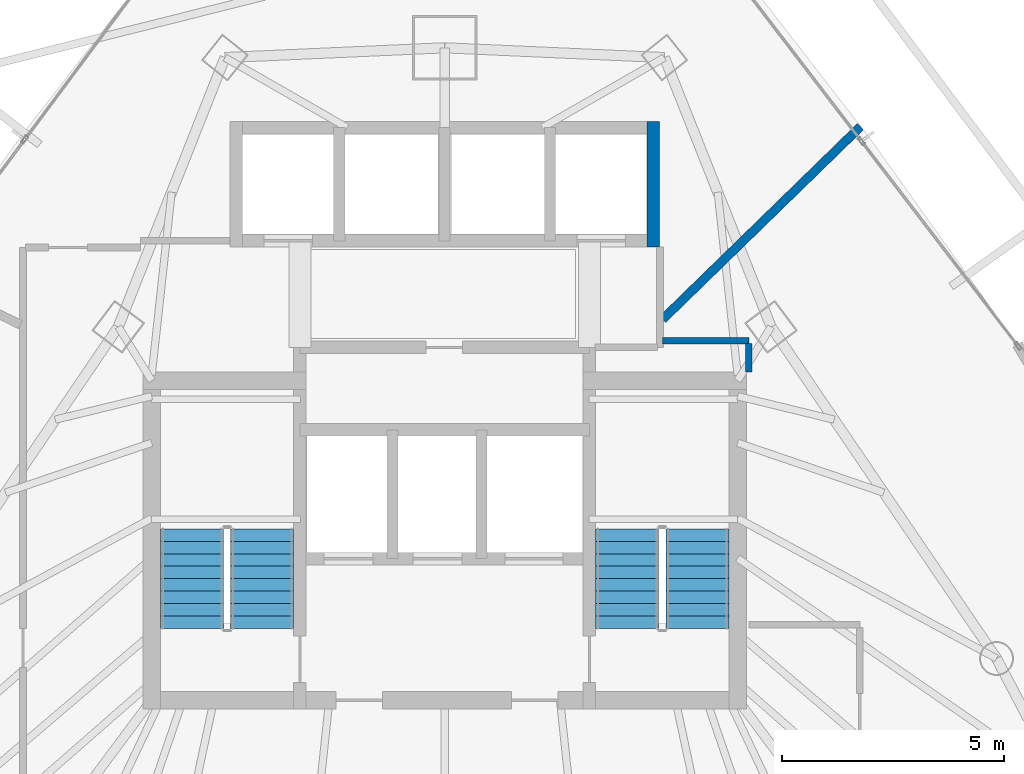
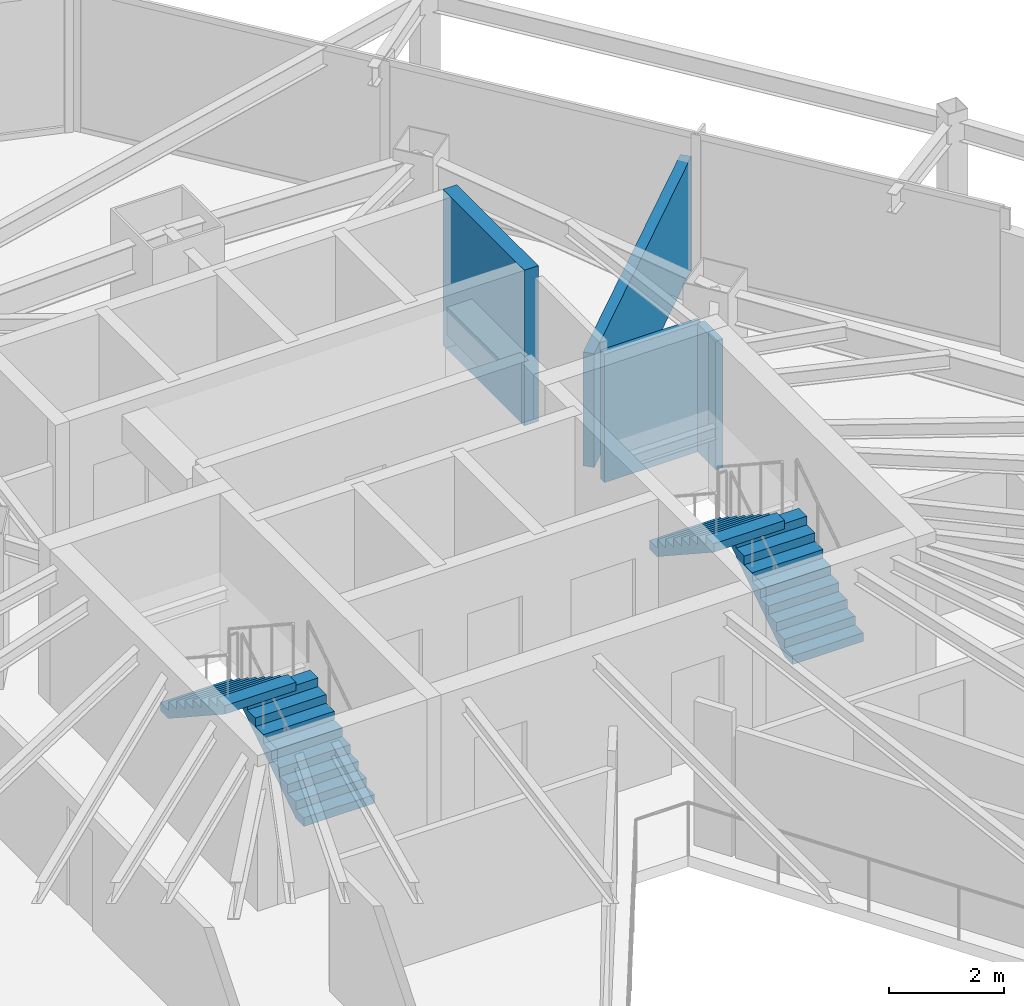
# One storey, part 28 of 31: 4 stair flights, 4 walls, 2 elements without a shape of their own.
"""IFC4 building model written with IfcOpenShell, lengths in metres."""

from ifc_helpers import new_model, si_unit, direction, frame, frame_2d, origin, place, context, subcontext, project, spatial, polyline, rectangle, outline, extrude, material, layer, layer_set, type_object, element, aggregate, save


model = new_model("IFC4")

# Units and contexts
model_context = context("Model", 3, precision=1e-05, world=origin(), true_north=direction((0.0, 1.0)))
body_context = subcontext(model_context, "Body", "Model", "MODEL_VIEW")
ifc_project = project(units=[si_unit("LENGTHUNIT", "METRE"), si_unit("AREAUNIT", "SQUARE_METRE"), si_unit("VOLUMEUNIT", "CUBIC_METRE"), si_unit("PLANEANGLEUNIT", "RADIAN"), si_unit("MASSUNIT", "GRAM", prefix="KILO")], contexts=[model_context])

# Site, building, storey
site_placement = place(None, origin())
site = spatial("IfcSite", under=ifc_project, at=site_placement, CompositionType="ELEMENT")
building_placement = place(site_placement, origin())
building = spatial("IfcBuilding", under=site, at=building_placement, Name="Orvanel Arch Residences", CompositionType="ELEMENT")
storey_placement = place(building_placement, frame((0.0, 0.0, 110.0)))
storey = spatial("IfcBuildingStorey", under=building, at=storey_placement, Name="L30", CompositionType="ELEMENT", Elevation=110.0)

# Walls
ifc_material_1 = material(Name="Concrete S65 (65 MPa)", Category="concrete")
ifc_layer_1 = layer(ifc_material_1, 0.280029296875)
ifc_layer_set_1 = layer_set([ifc_layer_1], Name="Concrete S65 (65 MPa)")
wall_type_1 = type_object("IfcWallType", Name="SW-CORE-280", PredefinedType="SHEAR", material=ifc_layer_set_1)
wall_1_placement = place(storey_placement, frame((37.699951171875, 36.909912109375, 0.0), z_axis=(0.0, 0.0, 1.0), x_axis=(0.0, 1.0, 0.0)))
element("IfcWall", 1, at=wall_1_placement, inside=storey, type_object=wall_type_1, Name="L30 Passenger Lift Bank East Shear Wall", PredefinedType="SHEAR", context=body_context, shape_type="SweptSolid", body=[
    extrude(rectangle(XDim=2.830078125, YDim=0.280029296875, at=frame_2d((1.4150390625, 0.0))), origin(), (0.0, 0.0, 1.0), 3.300048828125),
])
ifc_material_2 = material(Name="Fire-rated plasterboard lined steel stud partition", Category="steel")
ifc_layer_2 = layer(ifc_material_2, 0.14990234375)
ifc_layer_set_2 = layer_set([ifc_layer_2], Name="Fire-rated plasterboard lined steel stud partition")
wall_type_2 = type_object("IfcWallType", Name="W-COR-150", PredefinedType="PARTITIONING", material=ifc_layer_set_2)
wall_2_placement = place(storey_placement, frame((37.909912109375, 34.800048828125, 0.0), z_axis=(0.0, 0.0, 1.0), x_axis=(1.0, 0.0, 0.0)))
element("IfcWall", 2, at=wall_2_placement, inside=storey, type_object=wall_type_2, Name="L30 Core Perimeter Partition", PredefinedType="PARTITIONING", context=body_context, shape_type="SweptSolid", body=[
    extrude(rectangle(XDim=1.940185546875, YDim=0.14990234375, at=frame_2d((0.97021484375, 0.0))), origin(), (0.0, 0.0, 1.0), 2.720947265625),
])
wall_3_placement = place(storey_placement, frame((39.85009765625, 34.739990234375, 0.0), z_axis=(0.0, 0.0, 1.0), x_axis=(0.0, -1.0, 0.0)))
element("IfcWall", 3, at=wall_3_placement, inside=storey, type_object=wall_type_2, Name="L30 Core Perimeter Partition", PredefinedType="PARTITIONING", context=body_context, shape_type="SweptSolid", body=[
    extrude(rectangle(XDim=0.639892578125, YDim=0.14990234375, at=frame_2d((0.31982421875, 0.0))), origin(), (0.0, 0.0, 1.0), 2.720947265625),
])
ifc_layer_3 = layer(ifc_material_2, 0.199951171875)
ifc_layer_set_3 = layer_set([ifc_layer_3], Name="Fire-rated plasterboard lined steel stud partition")
wall_type_3 = type_object("IfcWallType", Name="W-DEM-200", PredefinedType="PARTITIONING", material=ifc_layer_set_3)
wall_4_placement = place(storey_placement, frame((37.909912109375, 35.281982421875, 0.0), z_axis=(0.0, 0.0, 1.0), x_axis=(0.716392659664, 0.697697324905, 0.0)))
element("IfcWall", 4, at=wall_4_placement, inside=storey, type_object=wall_type_3, Name="L30 Inter-Tenancy Acoustic Demising Wall", PredefinedType="PARTITIONING", context=body_context, shape_type="SweptSolid", body=[
    extrude(rectangle(XDim=6.216064453125, YDim=0.199951171875, at=frame_2d((3.10791015625, 0.0))), origin(), (0.0, 0.0, 1.0), 2.4130859375),
])

# Stair, stair flights
ifc_material_3 = material(Name="Precast concrete N50 (50 MPa)", Category="concrete")
stair_type = type_object("IfcStairType", Name="STR-DOG-184", PredefinedType="USERDEFINED", material=ifc_material_3)
stair_1_placement = place(storey_placement, origin())
stair_1 = element("IfcStair", 5, at=stair_1_placement, inside=storey, type_object=stair_type, Name="L30 Fire-Isolated Core Exit Stair 1", ObjectType="TWO_RETURN_STAIR", PredefinedType="USERDEFINED")
stair_flight_type_1 = type_object("IfcStairFlightType", Name="SFL-C1-184", PredefinedType="STRAIGHT", material=ifc_material_3)
stair_flight_1_placement = place(storey_placement, frame((28.889892578125, 28.320068359375, 0.0), z_axis=(0.0, 0.0, 1.0), x_axis=(0.0, 1.0, 0.0)))
stair_flight_1 = element("IfcStairFlight", 6, at=stair_flight_1_placement, type_object=stair_flight_type_1, Name="ST-1 flight 1", NumberOfRisers=9, NumberOfTreads=8, PredefinedType="STRAIGHT", RiserHeight=0.183333333, TreadLength=0.28, context=body_context, shape_type="SweptSolid", body=[
    extrude(outline(polyline([(0.0, 0.0), (0.0, 0.183349609375), (0.280029296875, 0.183349609375), (0.280029296875, 0.36669921875), (0.56005859375, 0.36669921875), (0.56005859375, 0.550048828125), (0.840087890625, 0.550048828125), (0.840087890625, 0.7333984375), (1.1201171875, 0.7333984375), (1.1201171875, 0.916748046875), (1.39990234375, 0.916748046875), (1.39990234375, 1.10009765625), (1.679931640625, 1.10009765625), (1.679931640625, 1.283447265625), (1.9599609375, 1.283447265625), (1.9599609375, 1.466552734375), (2.239990234375, 1.466552734375), (2.239990234375, 1.64990234375), (2.239990234375, 1.28759765625), (0.273681640625, 0.0), (0.0, 0.0)])), frame((0.0, 0.7099609375, 0.0), z_axis=(0.0, -1.0, 0.0), x_axis=(1.0, 0.0, 0.0)), (0.0, 0.0, 1.0), 1.419921875),
])
stair_flight_2_placement = place(storey_placement, frame((27.31005859375, 30.56005859375, 1.64990234375), z_axis=(0.0, 0.0, 1.0), x_axis=(0.0, -1.0, 0.0)))
stair_flight_2 = element("IfcStairFlight", 7, at=stair_flight_2_placement, type_object=stair_flight_type_1, Name="ST-1 flight 2", NumberOfRisers=9, NumberOfTreads=8, PredefinedType="STRAIGHT", RiserHeight=0.183333333, TreadLength=0.28, context=body_context, shape_type="SweptSolid", body=[
    extrude(outline(polyline([(0.0, 0.0), (0.0, 0.183349609375), (0.280029296875, 0.183349609375), (0.280029296875, 0.36669921875), (0.56005859375, 0.36669921875), (0.56005859375, 0.550048828125), (0.840087890625, 0.550048828125), (0.840087890625, 0.7333984375), (1.1201171875, 0.7333984375), (1.1201171875, 0.916748046875), (1.39990234375, 0.916748046875), (1.39990234375, 1.10009765625), (1.679931640625, 1.10009765625), (1.679931640625, 1.283447265625), (1.9599609375, 1.283447265625), (1.9599609375, 1.466552734375), (2.239990234375, 1.466552734375), (2.239990234375, 1.64990234375), (2.239990234375, 1.28759765625), (0.273681640625, 0.0), (0.0, 0.0)])), frame((0.0, 0.7099609375, 0.0), z_axis=(0.0, -1.0, 0.0), x_axis=(1.0, 0.0, 0.0)), (0.0, 0.0, 1.0), 1.419921875),
])
aggregate(stair_1, [stair_flight_1, stair_flight_2])

stair_2_placement = place(storey_placement, origin())
stair_2 = element("IfcStair", 8, at=stair_2_placement, inside=storey, type_object=stair_type, Name="L30 Fire-Isolated Core Exit Stair 2", ObjectType="TWO_RETURN_STAIR", PredefinedType="USERDEFINED")
stair_flight_type_2 = type_object("IfcStairFlightType", Name="SFL-C2-184", PredefinedType="STRAIGHT", material=ifc_material_3)
stair_flight_3_placement = place(storey_placement, frame((38.68994140625, 28.320068359375, 0.0), z_axis=(0.0, 0.0, 1.0), x_axis=(0.0, 1.0, 0.0)))
stair_flight_3 = element("IfcStairFlight", 9, at=stair_flight_3_placement, type_object=stair_flight_type_2, Name="ST-2 flight 1", NumberOfRisers=9, NumberOfTreads=8, PredefinedType="STRAIGHT", RiserHeight=0.183333333, TreadLength=0.28, context=body_context, shape_type="SweptSolid", body=[
    extrude(outline(polyline([(0.0, 0.0), (0.0, 0.183349609375), (0.280029296875, 0.183349609375), (0.280029296875, 0.36669921875), (0.56005859375, 0.36669921875), (0.56005859375, 0.550048828125), (0.840087890625, 0.550048828125), (0.840087890625, 0.7333984375), (1.1201171875, 0.7333984375), (1.1201171875, 0.916748046875), (1.39990234375, 0.916748046875), (1.39990234375, 1.10009765625), (1.679931640625, 1.10009765625), (1.679931640625, 1.283447265625), (1.9599609375, 1.283447265625), (1.9599609375, 1.466552734375), (2.239990234375, 1.466552734375), (2.239990234375, 1.64990234375), (2.239990234375, 1.28759765625), (0.273681640625, 0.0), (0.0, 0.0)])), frame((0.0, 0.7099609375, 0.0), z_axis=(0.0, -1.0, 0.0), x_axis=(1.0, 0.0, 0.0)), (0.0, 0.0, 1.0), 1.419921875),
])
stair_flight_4_placement = place(storey_placement, frame((37.110107421875, 30.56005859375, 1.64990234375), z_axis=(0.0, 0.0, 1.0), x_axis=(0.0, -1.0, 0.0)))
stair_flight_4 = element("IfcStairFlight", 10, at=stair_flight_4_placement, type_object=stair_flight_type_2, Name="ST-2 flight 2", NumberOfRisers=9, NumberOfTreads=8, PredefinedType="STRAIGHT", RiserHeight=0.183333333, TreadLength=0.28, context=body_context, shape_type="SweptSolid", body=[
    extrude(outline(polyline([(0.0, 0.0), (0.0, 0.183349609375), (0.280029296875, 0.183349609375), (0.280029296875, 0.36669921875), (0.56005859375, 0.36669921875), (0.56005859375, 0.550048828125), (0.840087890625, 0.550048828125), (0.840087890625, 0.7333984375), (1.1201171875, 0.7333984375), (1.1201171875, 0.916748046875), (1.39990234375, 0.916748046875), (1.39990234375, 1.10009765625), (1.679931640625, 1.10009765625), (1.679931640625, 1.283447265625), (1.9599609375, 1.283447265625), (1.9599609375, 1.466552734375), (2.239990234375, 1.466552734375), (2.239990234375, 1.64990234375), (2.239990234375, 1.28759765625), (0.273681640625, 0.0), (0.0, 0.0)])), frame((0.0, 0.7099609375, 0.0), z_axis=(0.0, -1.0, 0.0), x_axis=(1.0, 0.0, 0.0)), (0.0, 0.0, 1.0), 1.419921875),
])
aggregate(stair_2, [stair_flight_3, stair_flight_4])

save(model, "model.ifc")
